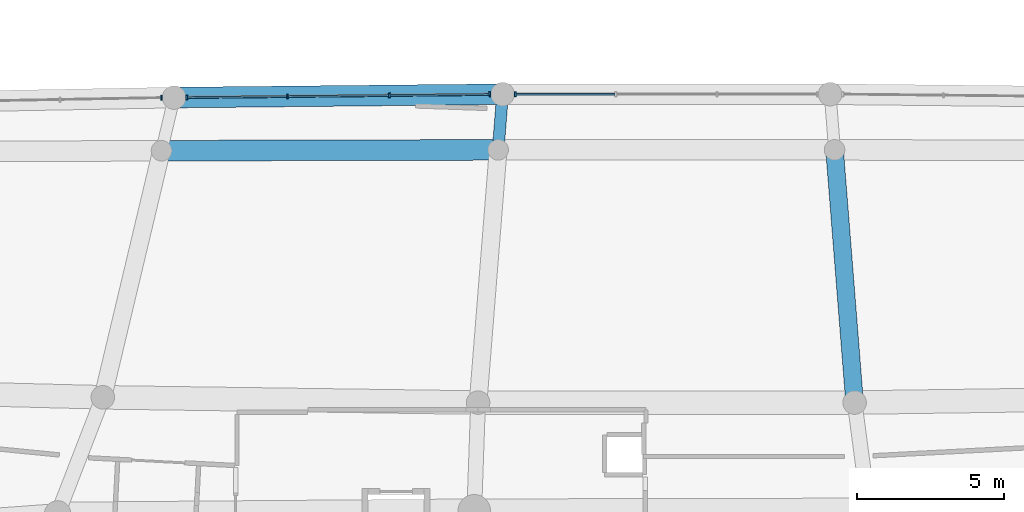
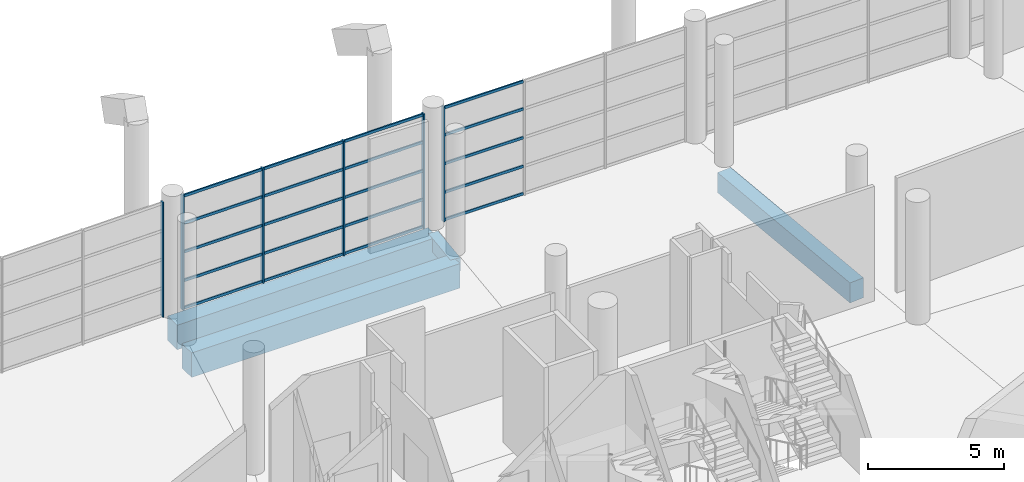
# One storey, part 27 of 271: 26 members, 4 beams, 3 elements without a shape of their own.
"""IFC4 building model written with IfcOpenShell, lengths in metres."""

from ifc_helpers import new_model, si_unit, direction, frame, origin, origin_2d, place, context, subcontext, project, spatial, rectangle, extrude, material, layer, layer_set, material_profile, profile_set, type_object, element, aggregate, save


model = new_model("IFC4")

# Units and contexts
model_context = context("Model", 3, precision=1e-05, world=origin(), true_north=direction((0.0, 1.0)))
body_context = subcontext(model_context, "Body", "Model", "MODEL_VIEW")
ifc_project = project(units=[si_unit("LENGTHUNIT", "METRE"), si_unit("AREAUNIT", "SQUARE_METRE"), si_unit("VOLUMEUNIT", "CUBIC_METRE"), si_unit("PLANEANGLEUNIT", "RADIAN"), si_unit("MASSUNIT", "GRAM", prefix="KILO")], contexts=[model_context])

# Site, building, storey
site_placement = place(None, origin())
site = spatial("IfcSite", under=ifc_project, at=site_placement, CompositionType="ELEMENT")
building_placement = place(site_placement, origin())
building = spatial("IfcBuilding", under=site, at=building_placement, Name="Meseta Stadium", CompositionType="ELEMENT")
storey_placement = place(building_placement, frame((0.0, 0.0, 6.5)))
storey = spatial("IfcBuildingStorey", under=building, at=storey_placement, Name="L01", CompositionType="ELEMENT", Elevation=6.5)

# Curtain wall, member
ifc_material_1 = material(Name="Aluminium", Category="aluminium")
ifc_layer = layer(ifc_material_1, 0.199951171875)
ifc_layer_set = layer_set([ifc_layer], Name="Club glazing curtain wall")
curtain_wall_type = type_object("IfcCurtainWallType", Name="Club glazing curtain wall", PredefinedType="NOTDEFINED", material=ifc_layer_set)
curtain_wall_1_placement = place(storey_placement, origin())
curtain_wall_1 = element("IfcCurtainWall", 1, at=curtain_wall_1_placement, inside=storey, type_object=curtain_wall_type, Name="Club glazing bay 44", PredefinedType="NOTDEFINED")
ifc_material_2 = material(Name="Aluminium", Category="aluminium")
ifc_material_profile_1 = material_profile(ifc_material_2, rectangle(XDim=0.159912109375, YDim=0.06005859375, at=origin_2d()), Name="CW 160x60")
ifc_profile_set_1 = profile_set([ifc_material_profile_1], Name="Aluminium")
member_type_1 = type_object("IfcMemberType", Name="CW mullion 60x160", PredefinedType="MULLION", material=ifc_profile_set_1)
member_1_placement = place(storey_placement, frame((-17.127197265625, -75.537353515625, 0.0), z_axis=(0.0, 0.0, 1.0), x_axis=(-0.018383858671, 0.99983100259, 0.0)))
member_1 = element("IfcMember", 2, at=member_1_placement, type_object=member_type_1, Name="CWC mullion 4", PredefinedType="MULLION", context=body_context, shape_type="SweptSolid", body=[
    extrude(rectangle(XDim=0.159912109375, YDim=0.06005859375, at=origin_2d()), origin(), (0.0, 0.0, 1.0), 5.14990234375),
])
aggregate(curtain_wall_1, [member_1])

# Curtain wall, members
curtain_wall_2_placement = place(storey_placement, origin())
curtain_wall_2 = element("IfcCurtainWall", 3, at=curtain_wall_2_placement, inside=storey, type_object=curtain_wall_type, Name="Club glazing bay 45", PredefinedType="NOTDEFINED")
member_2_placement = place(storey_placement, frame((-16.267578125, -75.52490234375, 0.0), z_axis=(0.0, 0.0, 1.0), x_axis=(-0.010278991253, 0.999947169774, 0.0)))
member_2 = element("IfcMember", 4, at=member_2_placement, type_object=member_type_1, Name="CWC mullion 1", PredefinedType="MULLION", context=body_context, shape_type="SweptSolid", body=[
    extrude(rectangle(XDim=0.159912109375, YDim=0.06005859375, at=origin_2d()), origin(), (0.0, 0.0, 1.0), 5.14990234375),
])
member_3_placement = place(storey_placement, frame((-12.8505859375, -75.489990234375, 0.0), z_axis=(0.0, 0.0, 1.0), x_axis=(-0.010278991253, 0.999947169774, 0.0)))
member_3 = element("IfcMember", 5, at=member_3_placement, type_object=member_type_1, Name="CWC mullion 2", PredefinedType="MULLION", context=body_context, shape_type="SweptSolid", body=[
    extrude(rectangle(XDim=0.159912109375, YDim=0.06005859375, at=origin_2d()), origin(), (0.0, 0.0, 1.0), 5.14990234375),
])
member_4_placement = place(storey_placement, frame((-9.403564453125, -75.454345703125, 0.0), z_axis=(0.0, 0.0, 1.0), x_axis=(-0.010278991253, 0.999947169774, 0.0)))
member_4 = element("IfcMember", 6, at=member_4_placement, type_object=member_type_1, Name="CWC mullion 3", PredefinedType="MULLION", context=body_context, shape_type="SweptSolid", body=[
    extrude(rectangle(XDim=0.159912109375, YDim=0.06005859375, at=origin_2d()), origin(), (0.0, 0.0, 1.0), 5.14990234375),
])
member_5_placement = place(storey_placement, frame((-5.986572265625, -75.41943359375, 0.0), z_axis=(0.0, 0.0, 1.0), x_axis=(-0.010278991253, 0.999947169774, 0.0)))
member_5 = element("IfcMember", 7, at=member_5_placement, type_object=member_type_1, Name="CWC mullion 4", PredefinedType="MULLION", context=body_context, shape_type="SweptSolid", body=[
    extrude(rectangle(XDim=0.159912109375, YDim=0.06005859375, at=origin_2d()), origin(), (0.0, 0.0, 1.0), 5.14990234375),
])

# Curtain wall, member
curtain_wall_3_placement = place(storey_placement, origin())
curtain_wall_3 = element("IfcCurtainWall", 8, at=curtain_wall_3_placement, inside=storey, type_object=curtain_wall_type, Name="Club glazing bay 46", PredefinedType="NOTDEFINED")
member_6_placement = place(storey_placement, frame((-5.126708984375, -75.4150390625, 0.0), z_axis=(0.0, 0.0, 1.0), x_axis=(0.0, 1.0, 0.0)))
member_6 = element("IfcMember", 9, at=member_6_placement, type_object=member_type_1, Name="CWC mullion 1", PredefinedType="MULLION", context=body_context, shape_type="SweptSolid", body=[
    extrude(rectangle(XDim=0.159912109375, YDim=0.06005859375, at=origin_2d()), origin(), (0.0, 0.0, 1.0), 5.14990234375),
])

# Member
ifc_material_3 = material(Name="Aluminium", Category="aluminium")
ifc_material_profile_2 = material_profile(ifc_material_3, rectangle(XDim=0.06005859375, YDim=0.1201171875, at=origin_2d()), Name="CW 60x120")
ifc_profile_set_2 = profile_set([ifc_material_profile_2], Name="Aluminium")
member_type_2 = type_object("IfcMemberType", Name="CW transom 60x120", PredefinedType="USERDEFINED", material=ifc_profile_set_2)
member_7_placement = place(storey_placement, frame((-16.23779296875, -75.524658203125, 0.06005859375), z_axis=(0.999947433941, 0.010253260722, 0.0), x_axis=(-0.010253260722, 0.999947433941, 0.0)))
member_7 = element("IfcMember", 10, at=member_7_placement, type_object=member_type_2, Name="CWC transom 1.1", ObjectType="TRANSOM", PredefinedType="USERDEFINED", context=body_context, shape_type="SweptSolid", body=[
    extrude(rectangle(XDim=0.06005859375, YDim=0.1201171875, at=origin_2d()), origin(), (0.0, 0.0, 1.0), 3.357421875),
])

member_8_placement = place(storey_placement, frame((-16.23779296875, -75.524658203125, 1.28759765625), z_axis=(0.999947433941, 0.010253260722, 0.0), x_axis=(-0.010253260722, 0.999947433941, 0.0)))
member_8 = element("IfcMember", 11, at=member_8_placement, type_object=member_type_2, Name="CWC transom 1.2", ObjectType="TRANSOM", PredefinedType="USERDEFINED", context=body_context, shape_type="SweptSolid", body=[
    extrude(rectangle(XDim=0.06005859375, YDim=0.1201171875, at=origin_2d()), origin(), (0.0, 0.0, 1.0), 3.357421875),
])

member_9_placement = place(storey_placement, frame((-16.23779296875, -75.524658203125, 2.574951171875), z_axis=(0.999947433941, 0.010253260722, 0.0), x_axis=(-0.010253260722, 0.999947433941, 0.0)))
member_9 = element("IfcMember", 12, at=member_9_placement, type_object=member_type_2, Name="CWC transom 1.3", ObjectType="TRANSOM", PredefinedType="USERDEFINED", context=body_context, shape_type="SweptSolid", body=[
    extrude(rectangle(XDim=0.06005859375, YDim=0.1201171875, at=origin_2d()), origin(), (0.0, 0.0, 1.0), 3.357421875),
])

member_10_placement = place(storey_placement, frame((-16.23779296875, -75.524658203125, 3.862548828125), z_axis=(0.999947433941, 0.010253260722, 0.0), x_axis=(-0.010253260722, 0.999947433941, 0.0)))
member_10 = element("IfcMember", 13, at=member_10_placement, type_object=member_type_2, Name="CWC transom 1.4", ObjectType="TRANSOM", PredefinedType="USERDEFINED", context=body_context, shape_type="SweptSolid", body=[
    extrude(rectangle(XDim=0.06005859375, YDim=0.1201171875, at=origin_2d()), origin(), (0.0, 0.0, 1.0), 3.357421875),
])

member_11_placement = place(storey_placement, frame((-16.23779296875, -75.524658203125, 5.090087890625), z_axis=(0.999947433941, 0.010253260722, 0.0), x_axis=(-0.010253260722, 0.999947433941, 0.0)))
member_11 = element("IfcMember", 14, at=member_11_placement, type_object=member_type_2, Name="CWC transom 1.5", ObjectType="TRANSOM", PredefinedType="USERDEFINED", context=body_context, shape_type="SweptSolid", body=[
    extrude(rectangle(XDim=0.06005859375, YDim=0.1201171875, at=origin_2d()), origin(), (0.0, 0.0, 1.0), 3.357421875),
])

member_12_placement = place(storey_placement, frame((-12.820556640625, -75.489501953125, 0.06005859375), z_axis=(0.99994761924, 0.010235173498, 0.0), x_axis=(-0.010235173498, 0.99994761924, 0.0)))
member_12 = element("IfcMember", 15, at=member_12_placement, type_object=member_type_2, Name="CWC transom 2.1", ObjectType="TRANSOM", PredefinedType="USERDEFINED", context=body_context, shape_type="SweptSolid", body=[
    extrude(rectangle(XDim=0.06005859375, YDim=0.1201171875, at=origin_2d()), origin(), (0.0, 0.0, 1.0), 3.38720703125),
])

member_13_placement = place(storey_placement, frame((-12.820556640625, -75.489501953125, 1.28759765625), z_axis=(0.99994761924, 0.010235173498, 0.0), x_axis=(-0.010235173498, 0.99994761924, 0.0)))
member_13 = element("IfcMember", 16, at=member_13_placement, type_object=member_type_2, Name="CWC transom 2.2", ObjectType="TRANSOM", PredefinedType="USERDEFINED", context=body_context, shape_type="SweptSolid", body=[
    extrude(rectangle(XDim=0.06005859375, YDim=0.1201171875, at=origin_2d()), origin(), (0.0, 0.0, 1.0), 3.38720703125),
])

member_14_placement = place(storey_placement, frame((-12.820556640625, -75.489501953125, 2.574951171875), z_axis=(0.99994761924, 0.010235173498, 0.0), x_axis=(-0.010235173498, 0.99994761924, 0.0)))
member_14 = element("IfcMember", 17, at=member_14_placement, type_object=member_type_2, Name="CWC transom 2.3", ObjectType="TRANSOM", PredefinedType="USERDEFINED", context=body_context, shape_type="SweptSolid", body=[
    extrude(rectangle(XDim=0.06005859375, YDim=0.1201171875, at=origin_2d()), origin(), (0.0, 0.0, 1.0), 3.38720703125),
])

member_15_placement = place(storey_placement, frame((-12.820556640625, -75.489501953125, 3.862548828125), z_axis=(0.99994761924, 0.010235173498, 0.0), x_axis=(-0.010235173498, 0.99994761924, 0.0)))
member_15 = element("IfcMember", 18, at=member_15_placement, type_object=member_type_2, Name="CWC transom 2.4", ObjectType="TRANSOM", PredefinedType="USERDEFINED", context=body_context, shape_type="SweptSolid", body=[
    extrude(rectangle(XDim=0.06005859375, YDim=0.1201171875, at=origin_2d()), origin(), (0.0, 0.0, 1.0), 3.38720703125),
])

member_16_placement = place(storey_placement, frame((-12.820556640625, -75.489501953125, 5.090087890625), z_axis=(0.99994761924, 0.010235173498, 0.0), x_axis=(-0.010235173498, 0.99994761924, 0.0)))
member_16 = element("IfcMember", 19, at=member_16_placement, type_object=member_type_2, Name="CWC transom 2.5", ObjectType="TRANSOM", PredefinedType="USERDEFINED", context=body_context, shape_type="SweptSolid", body=[
    extrude(rectangle(XDim=0.06005859375, YDim=0.1201171875, at=origin_2d()), origin(), (0.0, 0.0, 1.0), 3.38720703125),
])

member_17_placement = place(storey_placement, frame((-9.37353515625, -75.4541015625, 0.06005859375), z_axis=(0.999947426295, 0.010254006335, 0.0), x_axis=(-0.010254006335, 0.999947426295, 0.0)))
member_17 = element("IfcMember", 20, at=member_17_placement, type_object=member_type_2, Name="CWC transom 3.1", ObjectType="TRANSOM", PredefinedType="USERDEFINED", context=body_context, shape_type="SweptSolid", body=[
    extrude(rectangle(XDim=0.06005859375, YDim=0.1201171875, at=origin_2d()), origin(), (0.0, 0.0, 1.0), 3.357177734375),
])

member_18_placement = place(storey_placement, frame((-9.37353515625, -75.4541015625, 1.28759765625), z_axis=(0.999947426295, 0.010254006335, 0.0), x_axis=(-0.010254006335, 0.999947426295, 0.0)))
member_18 = element("IfcMember", 21, at=member_18_placement, type_object=member_type_2, Name="CWC transom 3.2", ObjectType="TRANSOM", PredefinedType="USERDEFINED", context=body_context, shape_type="SweptSolid", body=[
    extrude(rectangle(XDim=0.06005859375, YDim=0.1201171875, at=origin_2d()), origin(), (0.0, 0.0, 1.0), 3.357177734375),
])

member_19_placement = place(storey_placement, frame((-9.37353515625, -75.4541015625, 2.574951171875), z_axis=(0.999947426295, 0.010254006335, 0.0), x_axis=(-0.010254006335, 0.999947426295, 0.0)))
member_19 = element("IfcMember", 22, at=member_19_placement, type_object=member_type_2, Name="CWC transom 3.3", ObjectType="TRANSOM", PredefinedType="USERDEFINED", context=body_context, shape_type="SweptSolid", body=[
    extrude(rectangle(XDim=0.06005859375, YDim=0.1201171875, at=origin_2d()), origin(), (0.0, 0.0, 1.0), 3.357177734375),
])

member_20_placement = place(storey_placement, frame((-9.37353515625, -75.4541015625, 3.862548828125), z_axis=(0.999947426295, 0.010254006335, 0.0), x_axis=(-0.010254006335, 0.999947426295, 0.0)))
member_20 = element("IfcMember", 23, at=member_20_placement, type_object=member_type_2, Name="CWC transom 3.4", ObjectType="TRANSOM", PredefinedType="USERDEFINED", context=body_context, shape_type="SweptSolid", body=[
    extrude(rectangle(XDim=0.06005859375, YDim=0.1201171875, at=origin_2d()), origin(), (0.0, 0.0, 1.0), 3.357177734375),
])

member_21_placement = place(storey_placement, frame((-9.37353515625, -75.4541015625, 5.090087890625), z_axis=(0.999947426295, 0.010254006335, 0.0), x_axis=(-0.010254006335, 0.999947426295, 0.0)))
member_21 = element("IfcMember", 24, at=member_21_placement, type_object=member_type_2, Name="CWC transom 3.5", ObjectType="TRANSOM", PredefinedType="USERDEFINED", context=body_context, shape_type="SweptSolid", body=[
    extrude(rectangle(XDim=0.06005859375, YDim=0.1201171875, at=origin_2d()), origin(), (0.0, 0.0, 1.0), 3.357177734375),
])

aggregate(curtain_wall_2, [member_2, member_3, member_4, member_5, member_7, member_8, member_9, member_10, member_11, member_12, member_13, member_14, member_15, member_16, member_17, member_18, member_19, member_20, member_21])

member_22_placement = place(storey_placement, frame((-5.0966796875, -75.4150390625, 0.06005859375), z_axis=(1.0, 0.0, 0.0), x_axis=(0.0, 1.0, 0.0)))
member_22 = element("IfcMember", 25, at=member_22_placement, type_object=member_type_2, Name="CWC transom 1.1", ObjectType="TRANSOM", PredefinedType="USERDEFINED", context=body_context, shape_type="SweptSolid", body=[
    extrude(rectangle(XDim=0.06005859375, YDim=0.1201171875, at=origin_2d()), origin(), (0.0, 0.0, 1.0), 3.34765625),
])

member_23_placement = place(storey_placement, frame((-5.0966796875, -75.4150390625, 1.28759765625), z_axis=(1.0, 0.0, 0.0), x_axis=(0.0, 1.0, 0.0)))
member_23 = element("IfcMember", 26, at=member_23_placement, type_object=member_type_2, Name="CWC transom 1.2", ObjectType="TRANSOM", PredefinedType="USERDEFINED", context=body_context, shape_type="SweptSolid", body=[
    extrude(rectangle(XDim=0.06005859375, YDim=0.1201171875, at=origin_2d()), origin(), (0.0, 0.0, 1.0), 3.34765625),
])

member_24_placement = place(storey_placement, frame((-5.0966796875, -75.4150390625, 2.574951171875), z_axis=(1.0, 0.0, 0.0), x_axis=(0.0, 1.0, 0.0)))
member_24 = element("IfcMember", 27, at=member_24_placement, type_object=member_type_2, Name="CWC transom 1.3", ObjectType="TRANSOM", PredefinedType="USERDEFINED", context=body_context, shape_type="SweptSolid", body=[
    extrude(rectangle(XDim=0.06005859375, YDim=0.1201171875, at=origin_2d()), origin(), (0.0, 0.0, 1.0), 3.34765625),
])

member_25_placement = place(storey_placement, frame((-5.0966796875, -75.4150390625, 3.862548828125), z_axis=(1.0, 0.0, 0.0), x_axis=(0.0, 1.0, 0.0)))
member_25 = element("IfcMember", 28, at=member_25_placement, type_object=member_type_2, Name="CWC transom 1.4", ObjectType="TRANSOM", PredefinedType="USERDEFINED", context=body_context, shape_type="SweptSolid", body=[
    extrude(rectangle(XDim=0.06005859375, YDim=0.1201171875, at=origin_2d()), origin(), (0.0, 0.0, 1.0), 3.34765625),
])

member_26_placement = place(storey_placement, frame((-5.0966796875, -75.4150390625, 5.090087890625), z_axis=(1.0, 0.0, 0.0), x_axis=(0.0, 1.0, 0.0)))
member_26 = element("IfcMember", 29, at=member_26_placement, type_object=member_type_2, Name="CWC transom 1.5", ObjectType="TRANSOM", PredefinedType="USERDEFINED", context=body_context, shape_type="SweptSolid", body=[
    extrude(rectangle(XDim=0.06005859375, YDim=0.1201171875, at=origin_2d()), origin(), (0.0, 0.0, 1.0), 3.34765625),
])

aggregate(curtain_wall_3, [member_6, member_22, member_23, member_24, member_25, member_26])

# Beams
ifc_material_4 = material(Name="Concrete C40/50", Category="concrete")
ifc_material_profile_3 = material_profile(ifc_material_4, rectangle(XDim=0.39990234375, YDim=0.60009765625, at=origin_2d()), Name="RC 400x600")
ifc_profile_set_3 = profile_set([ifc_material_profile_3], Name="Concrete C40/50")
beam_type_1 = type_object("IfcBeamType", Name="RC beam 400x600", PredefinedType="BEAM", material=ifc_profile_set_3)
beam_1_placement = place(storey_placement, frame((-5.556640625, -75.414794921875, -0.64990234375), z_axis=(-0.079110203973, -0.996865876448, 0.0), x_axis=(0.996865876448, -0.079110203973, 0.0)))
element("IfcBeam", 30, at=beam_1_placement, inside=storey, type_object=beam_type_1, Name="L01 radial beam frame 46 line C to D", PredefinedType="BEAM", context=body_context, shape_type="SweptSolid", body=[
    extrude(rectangle(XDim=0.39990234375, YDim=0.60009765625, at=origin_2d()), origin(), (0.0, 0.0, 1.0), 1.894775390625),
])
ifc_material_5 = material(Name="Concrete C40/50", Category="concrete")
ifc_material_profile_4 = material_profile(ifc_material_5, rectangle(XDim=0.60009765625, YDim=0.89990234375, at=origin_2d()), Name="RC 600x900")
ifc_profile_set_4 = profile_set([ifc_material_profile_4], Name="Concrete C40/50")
beam_type_2 = type_object("IfcBeamType", Name="RC beam 600x900", PredefinedType="BEAM", material=ifc_profile_set_4)
beam_2_placement = place(storey_placement, frame((5.70654296875, -77.3037109375, -0.800048828125), z_axis=(0.079118987749, -0.996865179338, 0.0), x_axis=(0.996865179338, 0.079118987749, 0.0)))
element("IfcBeam", 31, at=beam_2_placement, inside=storey, type_object=beam_type_2, Name="L01 radial beam frame 47 line D to E", PredefinedType="BEAM", context=body_context, shape_type="SweptSolid", body=[
    extrude(rectangle(XDim=0.60009765625, YDim=0.89990234375, at=origin_2d()), origin(), (0.0, 0.0, 1.0), 8.599853515625),
])
ifc_material_6 = material(Name="Concrete C40/50", Category="concrete")
ifc_material_profile_5 = material_profile(ifc_material_6, rectangle(XDim=0.699951171875, YDim=1.10009765625, at=origin_2d()), Name="RC 700x1100")
ifc_profile_set_5 = profile_set([ifc_material_profile_5], Name="Concrete C40/50")
beam_type_3 = type_object("IfcBeamType", Name="RC beam 700x1100", PredefinedType="BEAM", material=ifc_profile_set_5)
beam_3_placement = place(storey_placement, frame((-16.697509765625, -75.529296875, -0.89990234375), z_axis=(0.99994718914, 0.010277107175, 0.0), x_axis=(-0.010277107175, 0.99994718914, 0.0)))
element("IfcBeam", 32, at=beam_3_placement, inside=storey, type_object=beam_type_3, Name="L01 ring beam frame 45 line C", PredefinedType="BEAM", context=body_context, shape_type="SweptSolid", body=[
    extrude(rectangle(XDim=0.699951171875, YDim=1.10009765625, at=origin_2d()), origin(), (0.0, 0.0, 1.0), 11.141357421875),
])
beam_4_placement = place(storey_placement, frame((-17.126708984375, -77.33203125, -0.89990234375), z_axis=(0.999996925183, 0.002479843584, 0.0), x_axis=(-0.002479843584, 0.999996925183, 0.0)))
element("IfcBeam", 33, at=beam_4_placement, inside=storey, type_object=beam_type_3, Name="L01 ring beam frame 45 line D", PredefinedType="BEAM", context=body_context, shape_type="SweptSolid", body=[
    extrude(rectangle(XDim=0.699951171875, YDim=1.10009765625, at=origin_2d()), origin(), (0.0, 0.0, 1.0), 11.420166015625),
])

save(model, "model.ifc")
